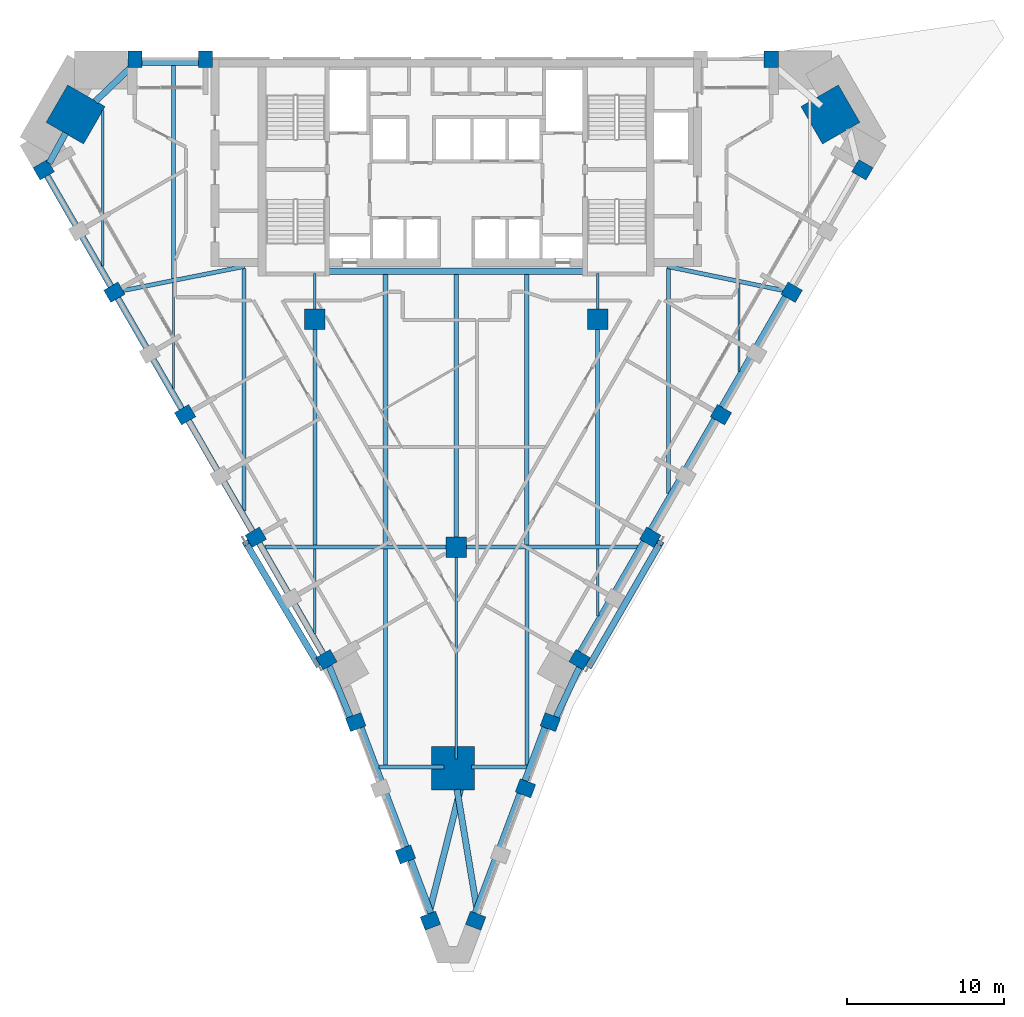
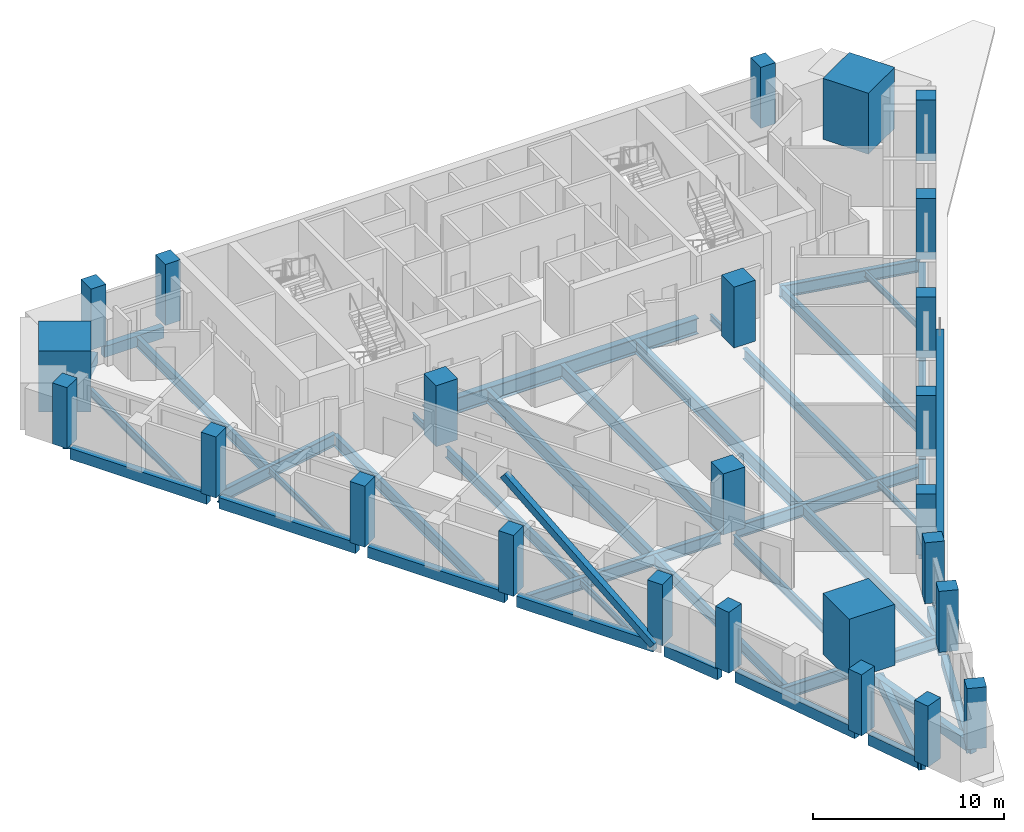
# One storey, part 1 of 10: 43 beams, 25 columns, 2 members.
"""IFC4 building model written with IfcOpenShell, lengths in metres."""

from ifc_helpers import new_model, si_unit, direction, frame, origin, origin_2d, place, context, subcontext, project, spatial, rectangle, hollow_rectangle, i_section, extrude, material, material_profile, profile_set, type_object, element, save


model = new_model("IFC4")

# Units and contexts
model_context = context("Model", 3, precision=1e-05, world=origin(), true_north=direction((0.0, 1.0)))
body_context = subcontext(model_context, "Body", "Model", "MODEL_VIEW")
ifc_project = project(units=[si_unit("LENGTHUNIT", "METRE"), si_unit("AREAUNIT", "SQUARE_METRE"), si_unit("VOLUMEUNIT", "CUBIC_METRE"), si_unit("PLANEANGLEUNIT", "RADIAN"), si_unit("MASSUNIT", "GRAM", prefix="KILO")], contexts=[model_context])

# Site, building, storey
site_placement = place(None, origin())
site = spatial("IfcSite", under=ifc_project, at=site_placement, CompositionType="ELEMENT")
building_placement = place(site_placement, origin())
building = spatial("IfcBuilding", under=site, at=building_placement, Name="Calabash Gate Tower", CompositionType="ELEMENT")
storey_placement = place(building_placement, frame((0.0, 0.0, 144.60009765625)))
storey = spatial("IfcBuildingStorey", under=building, at=storey_placement, Name="L33", CompositionType="ELEMENT", Elevation=144.60009765625)

# Columns
ifc_material_1 = material(Name="Concrete C70/85", Category="concrete")
ifc_material_profile_1 = material_profile(ifc_material_1, rectangle(XDim=1.300048828125, YDim=1.300048828125, at=origin_2d()))
ifc_profile_set_1 = profile_set([ifc_material_profile_1], Name="Concrete C70/85")
column_type_1 = type_object("IfcColumnType", Name="Interior column RC 1300x1300 Concrete C70/85", PredefinedType="COLUMN", material=ifc_profile_set_1)
for number, where, z_axis, x_axis, name in (
    (1, (-9.0, 2.5, 0.0), (0.0, 0.0, 1.0), (1.0, 0.0, 0.0), "Interior column L33 I0"),
    (2, (9.0, 2.5, 0.0), (0.0, 0.0, 1.0), (1.0, 0.0, 0.0), "Interior column L33 I1"),
    (3, (0.0, -12.0, 0.0), (0.0, 0.0, 1.0), (1.0, 0.0, 0.0), "Interior column L33 I2"),
):
    element("IfcColumn", number, at=place(storey_placement, frame(where, z_axis=z_axis, x_axis=x_axis)), inside=storey, type_object=column_type_1, Name=name, PredefinedType="COLUMN", context=body_context, shape_type="SweptSolid", body=[
        extrude(rectangle(XDim=1.300048828125, YDim=1.300048828125, at=origin_2d()), origin(), (0.0, 0.0, 1.0), 3.89990234375),
    ])
ifc_material_2 = material(Name="Concrete C70/85", Category="concrete")
ifc_material_profile_2 = material_profile(ifc_material_2, rectangle(XDim=2.75, YDim=2.75, at=origin_2d()))
ifc_profile_set_2 = profile_set([ifc_material_profile_2], Name="Concrete C70/85")
column_type_2 = type_object("IfcColumnType", Name="Mega column RC 2750x2750 Concrete C70/85", PredefinedType="COLUMN", material=ifc_profile_set_2)
for number, where, z_axis, x_axis, name in (
    (4, (-24.221923828125, 15.531005859375, 0.0), (0.0, 0.0, 1.0), (0.866025386331, -0.50000003023, 0.0), "Mega column L33 NW"),
    (5, (23.81201171875, 15.531005859375, 0.0), (0.0, 0.0, 1.0), (-0.866025386331, -0.50000003023, 0.0), "Mega column L33 NE"),
    (6, (-0.202880859375, -26.068115234375, 0.0), (0.0, 0.0, 1.0), (0.0, 1.0, 0.0), "Mega column L33 S"),
):
    element("IfcColumn", number, at=place(storey_placement, frame(where, z_axis=z_axis, x_axis=x_axis)), inside=storey, type_object=column_type_2, Name=name, PredefinedType="COLUMN", context=body_context, shape_type="SweptSolid", body=[
        extrude(rectangle(XDim=2.75, YDim=2.75, at=origin_2d()), origin(), (0.0, 0.0, 1.0), 3.89990234375),
    ])
ifc_material_3 = material(Name="Concrete C60/75", Category="concrete")
ifc_material_profile_3 = material_profile(ifc_material_3, rectangle(XDim=0.89990234375, YDim=1.050048828125, at=origin_2d()))
ifc_profile_set_3 = profile_set([ifc_material_profile_3], Name="Concrete C60/75")
column_type_3 = type_object("IfcColumnType", Name="Perimeter column RC 900x1050 Concrete C60/75", PredefinedType="COLUMN", material=ifc_profile_set_3)
for number, where, z_axis, x_axis, name in (
    (7, (-26.2529296875, 12.010009765625, 0.0), (0.0, 0.0, 1.0), (0.499999984885, -0.866025412511, 0.0), "Perimeter column L33 P20"),
    (8, (-21.7529296875, 4.216064453125, 0.0), (0.0, 0.0, 1.0), (0.499999984885, -0.866025412511, 0.0), "Perimeter column L33 P00"),
    (9, (-17.2529296875, -3.577880859375, 0.0), (0.0, 0.0, 1.0), (0.499999984885, -0.866025412511, 0.0), "Perimeter column L33 P01"),
    (10, (-12.7529296875, -11.373046875, 0.0), (0.0, 0.0, 1.0), (0.499999984885, -0.866025412511, 0.0), "Perimeter column L33 P02"),
    (11, (-8.2529296875, -19.1669921875, 0.0), (0.0, 0.0, 1.0), (0.499999984885, -0.866025412511, 0.0), "Perimeter column L33 P03"),
    (12, (-6.39599609375, -23.136962890625, 0.0), (0.0, 0.0, 1.0), (0.351822468316, -0.936066744836, 0.0), "Perimeter column L33 P25"),
    (13, (-3.22998046875, -31.56201171875, 0.0), (0.0, 0.0, 1.0), (0.351822468316, -0.936066744836, 0.0), "Perimeter column L33 P26"),
    (14, (-1.64697265625, -35.77392578125, 0.0), (0.0, 0.0, 1.0), (0.351822468316, -0.936066744836, 0.0), "Perimeter column L33 P27"),
    (15, (1.237060546875, -35.77392578125, 0.0), (0.0, 0.0, 1.0), (0.351822517328, 0.936066726415, 0.0), "Perimeter column L33 P28"),
    (16, (4.404052734375, -27.34912109375, 0.0), (0.0, 0.0, 1.0), (0.351822517328, 0.936066726415, 0.0), "Perimeter column L33 P08"),
    (17, (5.987060546875, -23.136962890625, 0.0), (0.0, 0.0, 1.0), (0.351822517328, 0.936066726415, 0.0), "Perimeter column L33 P29"),
    (18, (7.845947265625, -19.1669921875, 0.0), (0.0, 0.0, 1.0), (0.499999984885, 0.866025412511, 0.0), "Perimeter column L33 P09"),
    (19, (12.345947265625, -11.373046875, 0.0), (0.0, 0.0, 1.0), (0.499999984885, 0.866025412511, 0.0), "Perimeter column L33 P10"),
    (20, (16.845947265625, -3.577880859375, 0.0), (0.0, 0.0, 1.0), (0.499999984885, 0.866025412511, 0.0), "Perimeter column L33 P11"),
    (21, (21.345947265625, 4.216064453125, 0.0), (0.0, 0.0, 1.0), (0.499999984885, 0.866025412511, 0.0), "Perimeter column L33 P12"),
    (22, (25.845947265625, 12.010009765625, 0.0), (0.0, 0.0, 1.0), (0.499999984885, 0.866025412511, 0.0), "Perimeter column L33 P13"),
    (23, (20.047119140625, 19.052978515625, 0.0), (0.0, 0.0, 1.0), (-1.0, 0.0, 0.0), "Perimeter column L33 P24"),
    (24, (-15.952880859375, 19.052978515625, 0.0), (0.0, 0.0, 1.0), (-1.0, 0.0, 0.0), "Perimeter column L33 P30"),
    (25, (-20.452880859375, 19.052978515625, 0.0), (0.0, 0.0, 1.0), (-1.0, 0.0, 0.0), "Perimeter column L33 P17"),
):
    element("IfcColumn", number, at=place(storey_placement, frame(where, z_axis=z_axis, x_axis=x_axis)), inside=storey, type_object=column_type_3, Name=name, PredefinedType="COLUMN", context=body_context, shape_type="SweptSolid", body=[
        extrude(rectangle(XDim=0.89990234375, YDim=1.050048828125, at=origin_2d()), origin(), (0.0, 0.0, 1.0), 3.89990234375),
    ])

# Beams
ifc_material_4 = material(Name="Concrete C50/60", Category="concrete")
ifc_material_profile_4 = material_profile(ifc_material_4, rectangle(XDim=0.39990234375, YDim=0.699951171875, at=origin_2d()))
ifc_profile_set_4 = profile_set([ifc_material_profile_4], Name="Concrete C50/60")
beam_type_1 = type_object("IfcBeamType", Name="Edge beam RC 400x700 Concrete C50/60", PredefinedType="BEAM", material=ifc_profile_set_4)
beam_1_placement = place(storey_placement, frame((-17.0390625, -3.951904296875, -0.52001953125), z_axis=(0.500047870268, -0.865997764108, 0.0), x_axis=(0.865997764108, 0.500047870268, 0.0)))
element("IfcBeam", 26, at=beam_1_placement, inside=storey, type_object=beam_type_1, Name="Edge beam L33 1", PredefinedType="BEAM", context=body_context, shape_type="SweptSolid", body=[
    extrude(rectangle(XDim=0.39990234375, YDim=0.699951171875, at=origin_2d()), origin(), (0.0, 0.0, 1.0), 8.269287109375),
])
beam_2_placement = place(storey_placement, frame((-12.5390625, -11.74609375, -0.52001953125), z_axis=(0.499958388054, -0.86604942712, 0.0), x_axis=(0.86604942712, 0.499958388054, 0.0)))
element("IfcBeam", 27, at=beam_2_placement, inside=storey, type_object=beam_type_1, Name="Edge beam L33 2", PredefinedType="BEAM", context=body_context, shape_type="SweptSolid", body=[
    extrude(rectangle(XDim=0.39990234375, YDim=0.699951171875, at=origin_2d()), origin(), (0.0, 0.0, 1.0), 8.270751953125),
])
beam_3_placement = place(storey_placement, frame((-8.0869140625, -19.570068359375, -0.52001953125), z_axis=(0.381950141161, -0.924182930846, 0.0), x_axis=(0.924182930846, 0.381950141161, 0.0)))
element("IfcBeam", 28, at=beam_3_placement, inside=storey, type_object=beam_type_1, Name="Edge beam L33 3", PredefinedType="BEAM", context=body_context, shape_type="SweptSolid", body=[
    extrude(rectangle(XDim=0.39990234375, YDim=0.699951171875, at=origin_2d()), origin(), (0.0, 0.0, 1.0), 3.5078125),
])
beam_4_placement = place(storey_placement, frame((-6.051025390625, -23.488037109375, -0.52001953125), z_axis=(0.351863225674, -0.936051425093, 0.0), x_axis=(0.936051425093, 0.351863225674, 0.0)))
element("IfcBeam", 29, at=beam_4_placement, inside=storey, type_object=beam_type_1, Name="Edge beam L33 4", PredefinedType="BEAM", context=body_context, shape_type="SweptSolid", body=[
    extrude(rectangle(XDim=0.39990234375, YDim=0.699951171875, at=origin_2d()), origin(), (0.0, 0.0, 1.0), 8.10009765625),
])
beam_5_placement = place(storey_placement, frame((-2.884033203125, -31.9130859375, -0.52001953125), z_axis=(0.351799855959, -0.936075243422, 0.0), x_axis=(0.936075243422, 0.351799855959, 0.0)))
element("IfcBeam", 30, at=beam_5_placement, inside=storey, type_object=beam_type_1, Name="Edge beam L33 5", PredefinedType="BEAM", context=body_context, shape_type="SweptSolid", body=[
    extrude(rectangle(XDim=0.39990234375, YDim=0.699951171875, at=origin_2d()), origin(), (0.0, 0.0, 1.0), 3.598876953125),
])
beam_6_placement = place(storey_placement, frame((-1.743896484375, -35.34912109375, -0.52001953125), z_axis=(0.24595570579, 0.969281069035, 0.0), x_axis=(-0.969281069035, 0.24595570579, 0.0)))
element("IfcBeam", 31, at=beam_6_placement, inside=storey, type_object=beam_type_1, Name="Edge beam L33 6", PredefinedType="BEAM", context=body_context, shape_type="SweptSolid", body=[
    extrude(rectangle(XDim=0.39990234375, YDim=0.699951171875, at=origin_2d()), origin(), (0.0, 0.0, 1.0), 8.17626953125),
])
beam_7_placement = place(storey_placement, frame((0.048095703125, -27.427978515625, -0.52001953125), z_axis=(0.164438353373, -0.986387362013, 0.0), x_axis=(0.986387362013, 0.164438353373, 0.0)))
element("IfcBeam", 32, at=beam_7_placement, inside=storey, type_object=beam_type_1, Name="Edge beam L33 7", PredefinedType="BEAM", context=body_context, shape_type="SweptSolid", body=[
    extrude(rectangle(XDim=0.39990234375, YDim=0.699951171875, at=origin_2d()), origin(), (0.0, 0.0, 1.0), 8.045654296875),
])
beam_8_placement = place(storey_placement, frame((1.2080078125, -35.281982421875, -0.52001953125), z_axis=(0.351863225674, 0.936051425093, 0.0), x_axis=(-0.936051425093, 0.351863225674, 0.0)))
element("IfcBeam", 33, at=beam_8_placement, inside=storey, type_object=beam_type_1, Name="Edge beam L33 8", PredefinedType="BEAM", context=body_context, shape_type="SweptSolid", body=[
    extrude(rectangle(XDim=0.39990234375, YDim=0.699951171875, at=origin_2d()), origin(), (0.0, 0.0, 1.0), 8.10009765625),
])
beam_9_placement = place(storey_placement, frame((4.376953125, -26.85791015625, -0.52001953125), z_axis=(0.351234944025, 0.936287356582, 0.0), x_axis=(-0.936287356582, 0.351234944025, 0.0)))
element("IfcBeam", 34, at=beam_9_placement, inside=storey, type_object=beam_type_1, Name="Edge beam L33 9", PredefinedType="BEAM", context=body_context, shape_type="SweptSolid", body=[
    extrude(rectangle(XDim=0.39990234375, YDim=0.699951171875, at=origin_2d()), origin(), (0.0, 0.0, 1.0), 3.59912109375),
])
beam_10_placement = place(storey_placement, frame((6.361083984375, -22.81005859375, -0.52001953125), z_axis=(0.423673949239, 0.905814762927, 0.0), x_axis=(-0.905814762927, 0.423673949239, 0.0)))
element("IfcBeam", 35, at=beam_10_placement, inside=storey, type_object=beam_type_1, Name="Edge beam L33 10", PredefinedType="BEAM", context=body_context, shape_type="SweptSolid", body=[
    extrude(rectangle(XDim=0.39990234375, YDim=0.699951171875, at=origin_2d()), origin(), (0.0, 0.0, 1.0), 3.47412109375),
])
beam_11_placement = place(storey_placement, frame((7.89697265625, -18.677001953125, -0.52001953125), z_axis=(0.499999880539, 0.866025472755, 0.0), x_axis=(-0.866025472755, 0.499999880539, 0.0)))
element("IfcBeam", 36, at=beam_11_placement, inside=storey, type_object=beam_type_1, Name="Edge beam L33 11", PredefinedType="BEAM", context=body_context, shape_type="SweptSolid", body=[
    extrude(rectangle(XDim=0.39990234375, YDim=0.699951171875, at=origin_2d()), origin(), (0.0, 0.0, 1.0), 8.10009765625),
])
for number, where, z_axis, x_axis, name in (
    (37, (12.39697265625, -10.883056640625, -0.52001953125), (0.499986829629, 0.866033007568, 0.0), (-0.866033007568, 0.499986829629, 0.0), "Edge beam L33 12"),
    (38, (16.89697265625, -3.089111328125, -0.52001953125), (0.499986829629, 0.866033007568, 0.0), (-0.866033007568, 0.499986829629, 0.0), "Edge beam L33 13"),
):
    element("IfcBeam", number, at=place(storey_placement, frame(where, z_axis=z_axis, x_axis=x_axis)), inside=storey, type_object=beam_type_1, Name=name, PredefinedType="BEAM", context=body_context, shape_type="SweptSolid", body=[
        extrude(rectangle(XDim=0.39990234375, YDim=0.699951171875, at=origin_2d()), origin(), (0.0, 0.0, 1.0), 8.100341796875),
    ])
beam_12_placement = place(storey_placement, frame((-16.403076171875, 18.85302734375, -0.52001953125), z_axis=(-1.0, 0.0, 0.0), x_axis=(0.0, -1.0, 0.0)))
element("IfcBeam", 39, at=beam_12_placement, inside=storey, type_object=beam_type_1, Name="Edge beam L33 17", PredefinedType="BEAM", context=body_context, shape_type="SweptSolid", body=[
    extrude(rectangle(XDim=0.39990234375, YDim=0.699951171875, at=origin_2d()), origin(), (0.0, 0.0, 1.0), 3.599853515625),
])
beam_13_placement = place(storey_placement, frame((-20.696044921875, 18.54296875, -0.52001953125), z_axis=(-0.720809229567, -0.693133504147, 0.0), x_axis=(0.693133504147, -0.720809229567, 0.0)))
element("IfcBeam", 40, at=beam_13_placement, inside=storey, type_object=beam_type_1, Name="Edge beam L33 18", PredefinedType="BEAM", context=body_context, shape_type="SweptSolid", body=[
    extrude(rectangle(XDim=0.39990234375, YDim=0.699951171875, at=origin_2d()), origin(), (0.0, 0.0, 1.0), 3.149169921875),
])
beam_14_placement = place(storey_placement, frame((-24.85400390625, 14.346923828125, -0.52001953125), z_axis=(-0.479500925929, -0.877541373402, 0.0), x_axis=(0.877541373402, -0.479500925929, 0.0)))
element("IfcBeam", 41, at=beam_14_placement, inside=storey, type_object=beam_type_1, Name="Edge beam L33 19", PredefinedType="BEAM", context=body_context, shape_type="SweptSolid", body=[
    extrude(rectangle(XDim=0.39990234375, YDim=0.699951171875, at=origin_2d()), origin(), (0.0, 0.0, 1.0), 2.187744140625),
])
beam_15_placement = place(storey_placement, frame((-26.0390625, 11.635986328125, -0.52001953125), z_axis=(0.50000951748, -0.866019908795, 0.0), x_axis=(0.866019908795, 0.50000951748, 0.0)))
element("IfcBeam", 42, at=beam_15_placement, inside=storey, type_object=beam_type_1, Name="Edge beam L33 20", PredefinedType="BEAM", context=body_context, shape_type="SweptSolid", body=[
    extrude(rectangle(XDim=0.39990234375, YDim=0.699951171875, at=origin_2d()), origin(), (0.0, 0.0, 1.0), 8.269775390625),
])
beam_16_placement = place(storey_placement, frame((-21.5390625, 3.842041015625, -0.52001953125), z_axis=(0.499996734306, -0.866027289225, 0.0), x_axis=(0.866027289225, 0.499996734306, 0.0)))
element("IfcBeam", 43, at=beam_16_placement, inside=storey, type_object=beam_type_1, Name="Edge beam L33 21", PredefinedType="BEAM", context=body_context, shape_type="SweptSolid", body=[
    extrude(rectangle(XDim=0.39990234375, YDim=0.699951171875, at=origin_2d()), origin(), (0.0, 0.0, 1.0), 8.27001953125),
])
ifc_material_5 = material(Name="Steel ASTM A992 Gr50", Category="steel")
ifc_material_profile_5 = material_profile(ifc_material_5, i_section(OverallWidth=0.1396484375, OverallDepth=0.398681640625, WebThickness=0.00634765625, FlangeThickness=0.0087890625, FilletRadius=0.01025390625, at=origin_2d()))
ifc_profile_set_5 = profile_set([ifc_material_profile_5], Name="Steel ASTM A992 Gr50")
beam_type_2 = type_object("IfcBeamType", Name="Floor beam W16x26 ASTM A992 Gr50", PredefinedType="BEAM", material=ifc_profile_set_5)
beam_17_placement = place(storey_placement, frame((-18.0, -1.89990234375, -0.369140625), z_axis=(0.0, 1.0, 0.0), x_axis=(-1.0, 0.0, 0.0)))
element("IfcBeam", 44, at=beam_17_placement, inside=storey, type_object=beam_type_2, Name="Floor beam L33 2", PredefinedType="BEAM", context=body_context, shape_type="SweptSolid", body=[
    extrude(i_section(OverallWidth=0.1396484375, OverallDepth=0.398681640625, WebThickness=0.00634765625, FlangeThickness=0.0087890625, FilletRadius=0.01025390625, at=origin_2d()), origin(), (0.0, 0.0, 1.0), 6.73681640625),
])
beam_18_placement = place(storey_placement, frame((-9.0, -17.488037109375, -0.369140625), z_axis=(0.0, 1.0, 0.0), x_axis=(-1.0, 0.0, 0.0)))
element("IfcBeam", 45, at=beam_18_placement, inside=storey, type_object=beam_type_2, Name="Floor beam L33 5", PredefinedType="BEAM", context=body_context, shape_type="SweptSolid", body=[
    extrude(i_section(OverallWidth=0.1396484375, OverallDepth=0.398681640625, WebThickness=0.00634765625, FlangeThickness=0.0087890625, FilletRadius=0.01025390625, at=origin_2d()), origin(), (0.0, 0.0, 1.0), 5.35498046875),
])
beam_19_placement = place(storey_placement, frame((-9.0, 3.14990234375, -0.369140625), z_axis=(0.0, 1.0, 0.0), x_axis=(-1.0, 0.0, 0.0)))
element("IfcBeam", 46, at=beam_19_placement, inside=storey, type_object=beam_type_2, Name="Floor beam L33 7", PredefinedType="BEAM", context=body_context, shape_type="SweptSolid", body=[
    extrude(i_section(OverallWidth=0.1396484375, OverallDepth=0.398681640625, WebThickness=0.00634765625, FlangeThickness=0.0087890625, FilletRadius=0.01025390625, at=origin_2d()), origin(), (0.0, 0.0, 1.0), 2.253173828125),
])
beam_20_placement = place(storey_placement, frame((9.0, -16.37890625, -0.369140625), z_axis=(0.0, 1.0, 0.0), x_axis=(-1.0, 0.0, 0.0)))
element("IfcBeam", 47, at=beam_20_placement, inside=storey, type_object=beam_type_2, Name="Floor beam L33 14", PredefinedType="BEAM", context=body_context, shape_type="SweptSolid", body=[
    extrude(i_section(OverallWidth=0.1396484375, OverallDepth=0.398681640625, WebThickness=0.00634765625, FlangeThickness=0.0087890625, FilletRadius=0.01025390625, at=origin_2d()), origin(), (0.0, 0.0, 1.0), 4.245849609375),
])
beam_21_placement = place(storey_placement, frame((9.0, 3.14990234375, -0.369140625), z_axis=(0.0, 1.0, 0.0), x_axis=(-1.0, 0.0, 0.0)))
element("IfcBeam", 48, at=beam_21_placement, inside=storey, type_object=beam_type_2, Name="Floor beam L33 16", PredefinedType="BEAM", context=body_context, shape_type="SweptSolid", body=[
    extrude(i_section(OverallWidth=0.1396484375, OverallDepth=0.398681640625, WebThickness=0.00634765625, FlangeThickness=0.0087890625, FilletRadius=0.01025390625, at=origin_2d()), origin(), (0.0, 0.0, 1.0), 2.253173828125),
])
beam_22_placement = place(storey_placement, frame((18.0, -0.81103515625, -0.369140625), z_axis=(0.0, 1.0, 0.0), x_axis=(-1.0, 0.0, 0.0)))
element("IfcBeam", 49, at=beam_22_placement, inside=storey, type_object=beam_type_2, Name="Floor beam L33 18", PredefinedType="BEAM", context=body_context, shape_type="SweptSolid", body=[
    extrude(i_section(OverallWidth=0.1396484375, OverallDepth=0.398681640625, WebThickness=0.00634765625, FlangeThickness=0.0087890625, FilletRadius=0.01025390625, at=origin_2d()), origin(), (0.0, 0.0, 1.0), 5.59814453125),
])
ifc_material_6 = material(Name="Steel ASTM A992 Gr50", Category="steel")
ifc_material_profile_6 = material_profile(ifc_material_6, i_section(OverallWidth=0.166015625, OverallDepth=0.5283203125, WebThickness=0.009765625, FlangeThickness=0.013671875, FilletRadius=0.0126953125, at=origin_2d()))
ifc_profile_set_6 = profile_set([ifc_material_profile_6], Name="Steel ASTM A992 Gr50")
beam_type_3 = type_object("IfcBeamType", Name="Floor beam W21x50 ASTM A992 Gr50", PredefinedType="BEAM", material=ifc_profile_set_6)
beam_23_placement = place(storey_placement, frame((-22.5, 5.8740234375, -0.43408203125), z_axis=(0.0, 1.0, 0.0), x_axis=(-1.0, 0.0, 0.0)))
element("IfcBeam", 50, at=beam_23_placement, inside=storey, type_object=beam_type_3, Name="Floor beam L33 1", PredefinedType="BEAM", context=body_context, shape_type="SweptSolid", body=[
    extrude(i_section(OverallWidth=0.166015625, OverallDepth=0.5283203125, WebThickness=0.009765625, FlangeThickness=0.013671875, FilletRadius=0.0126953125, at=origin_2d()), origin(), (0.0, 0.0, 1.0), 9.903076171875),
])
ifc_material_7 = material(Name="Steel ASTM A992 Gr50", Category="steel")
ifc_material_profile_7 = material_profile(ifc_material_7, i_section(OverallWidth=0.1787109375, OverallDepth=0.60205078125, WebThickness=0.010986328125, FlangeThickness=0.014892578125, FilletRadius=0.0126953125, at=origin_2d()))
ifc_profile_set_7 = profile_set([ifc_material_profile_7], Name="Steel ASTM A992 Gr50")
beam_type_4 = type_object("IfcBeamType", Name="Floor beam W24x62 ASTM A992 Gr50", PredefinedType="BEAM", material=ifc_profile_set_7)
beam_24_placement = place(storey_placement, frame((0.0, -25.48291015625, -0.47119140625), z_axis=(0.0, 1.0, 0.0), x_axis=(-1.0, 0.0, 0.0)))
element("IfcBeam", 51, at=beam_24_placement, inside=storey, type_object=beam_type_4, Name="Floor beam L33 10", PredefinedType="BEAM", context=body_context, shape_type="SweptSolid", body=[
    extrude(i_section(OverallWidth=0.1787109375, OverallDepth=0.60205078125, WebThickness=0.010986328125, FlangeThickness=0.014892578125, FilletRadius=0.0126953125, at=origin_2d()), origin(), (0.0, 0.0, 1.0), 12.8330078125),
])
ifc_material_8 = material(Name="Steel ASTM A992 Gr50", Category="steel")
ifc_material_profile_8 = material_profile(ifc_material_8, i_section(OverallWidth=0.25390625, OverallDepth=0.67822265625, WebThickness=0.01171875, FlangeThickness=0.016357421875, FilletRadius=0.01513671875, at=origin_2d()))
ifc_profile_set_8 = profile_set([ifc_material_profile_8], Name="Steel ASTM A992 Gr50")
beam_type_5 = type_object("IfcBeamType", Name="Floor beam W27x84 ASTM A992 Gr50", PredefinedType="BEAM", material=ifc_profile_set_8)
beam_25_placement = place(storey_placement, frame((-18.0, 5.0869140625, -0.509033203125), z_axis=(0.0, 1.0, 0.0), x_axis=(-1.0, 0.0, 0.0)))
element("IfcBeam", 52, at=beam_25_placement, inside=storey, type_object=beam_type_5, Name="Floor beam L33 3", PredefinedType="BEAM", context=body_context, shape_type="SweptSolid", body=[
    extrude(i_section(OverallWidth=0.25390625, OverallDepth=0.67822265625, WebThickness=0.01171875, FlangeThickness=0.016357421875, FilletRadius=0.01513671875, at=origin_2d()), origin(), (0.0, 0.0, 1.0), 13.566162109375),
])
beam_26_placement = place(storey_placement, frame((-9.0, -11.866943359375, -0.509033203125), z_axis=(0.0, 1.0, 0.0), x_axis=(-1.0, 0.0, 0.0)))
element("IfcBeam", 53, at=beam_26_placement, inside=storey, type_object=beam_type_5, Name="Floor beam L33 6", PredefinedType="BEAM", context=body_context, shape_type="SweptSolid", body=[
    extrude(i_section(OverallWidth=0.25390625, OverallDepth=0.67822265625, WebThickness=0.01171875, FlangeThickness=0.016357421875, FilletRadius=0.01513671875, at=origin_2d()), origin(), (0.0, 0.0, 1.0), 13.717041015625),
])
beam_27_placement = place(storey_placement, frame((-4.5, -25.866943359375, -0.509033203125), z_axis=(0.0, 1.0, 0.0), x_axis=(-1.0, 0.0, 0.0)))
element("IfcBeam", 54, at=beam_27_placement, inside=storey, type_object=beam_type_5, Name="Floor beam L33 8", PredefinedType="BEAM", context=body_context, shape_type="SweptSolid", body=[
    extrude(i_section(OverallWidth=0.25390625, OverallDepth=0.67822265625, WebThickness=0.01171875, FlangeThickness=0.016357421875, FilletRadius=0.01513671875, at=origin_2d()), origin(), (0.0, 0.0, 1.0), 13.73388671875),
])
beam_28_placement = place(storey_placement, frame((4.5, -25.89892578125, -0.509033203125), z_axis=(0.0, 1.0, 0.0), x_axis=(-1.0, 0.0, 0.0)))
element("IfcBeam", 55, at=beam_28_placement, inside=storey, type_object=beam_type_5, Name="Floor beam L33 12", PredefinedType="BEAM", context=body_context, shape_type="SweptSolid", body=[
    extrude(i_section(OverallWidth=0.25390625, OverallDepth=0.67822265625, WebThickness=0.01171875, FlangeThickness=0.016357421875, FilletRadius=0.01513671875, at=origin_2d()), origin(), (0.0, 0.0, 1.0), 13.765869140625),
])
beam_29_placement = place(storey_placement, frame((9.0, -11.866943359375, -0.509033203125), z_axis=(0.0, 1.0, 0.0), x_axis=(-1.0, 0.0, 0.0)))
element("IfcBeam", 56, at=beam_29_placement, inside=storey, type_object=beam_type_5, Name="Floor beam L33 15", PredefinedType="BEAM", context=body_context, shape_type="SweptSolid", body=[
    extrude(i_section(OverallWidth=0.25390625, OverallDepth=0.67822265625, WebThickness=0.01171875, FlangeThickness=0.016357421875, FilletRadius=0.01513671875, at=origin_2d()), origin(), (0.0, 0.0, 1.0), 13.717041015625),
])
beam_30_placement = place(storey_placement, frame((13.5, -8.60302734375, -0.509033203125), z_axis=(0.0, 1.0, 0.0), x_axis=(-1.0, 0.0, 0.0)))
element("IfcBeam", 57, at=beam_30_placement, inside=storey, type_object=beam_type_5, Name="Floor beam L33 17", PredefinedType="BEAM", context=body_context, shape_type="SweptSolid", body=[
    extrude(i_section(OverallWidth=0.25390625, OverallDepth=0.67822265625, WebThickness=0.01171875, FlangeThickness=0.016357421875, FilletRadius=0.01513671875, at=origin_2d()), origin(), (0.0, 0.0, 1.0), 14.341064453125),
])
ifc_material_9 = material(Name="Steel ASTM A992 Gr50", Category="steel")
ifc_material_profile_9 = material_profile(ifc_material_9, i_section(OverallWidth=0.2666015625, OverallDepth=0.7568359375, WebThickness=0.013916015625, FlangeThickness=0.019287109375, FilletRadius=0.0166015625, at=origin_2d()))
ifc_profile_set_9 = profile_set([ifc_material_profile_9], Name="Steel ASTM A992 Gr50")
beam_type_6 = type_object("IfcBeamType", Name="Floor beam W30x108 ASTM A992 Gr50", PredefinedType="BEAM", material=ifc_profile_set_9)
beam_31_placement = place(storey_placement, frame((-13.5, -9.694091796875, -0.548095703125), z_axis=(0.0, 1.0, 0.0), x_axis=(-1.0, 0.0, 0.0)))
element("IfcBeam", 58, at=beam_31_placement, inside=storey, type_object=beam_type_6, Name="Floor beam L33 4", PredefinedType="BEAM", context=body_context, shape_type="SweptSolid", body=[
    extrude(i_section(OverallWidth=0.2666015625, OverallDepth=0.7568359375, WebThickness=0.013916015625, FlangeThickness=0.019287109375, FilletRadius=0.0166015625, at=origin_2d()), origin(), (0.0, 0.0, 1.0), 15.425048828125),
])
ifc_material_10 = material(Name="Steel ASTM A992 Gr50", Category="steel")
ifc_material_profile_10 = material_profile(ifc_material_10, i_section(OverallWidth=0.2919921875, OverallDepth=0.845703125, WebThickness=0.015380859375, FlangeThickness=0.0244140625, FilletRadius=0.017822265625, at=origin_2d()))
ifc_profile_set_10 = profile_set([ifc_material_profile_10], Name="Steel ASTM A992 Gr50")
beam_type_7 = type_object("IfcBeamType", Name="Floor beam W33x141 ASTM A992 Gr50", PredefinedType="BEAM", material=ifc_profile_set_10)
beam_32_placement = place(storey_placement, frame((-4.5, -11.866943359375, -0.593017578125), z_axis=(0.0, 1.0, 0.0), x_axis=(-1.0, 0.0, 0.0)))
element("IfcBeam", 59, at=beam_32_placement, inside=storey, type_object=beam_type_7, Name="Floor beam L33 9", PredefinedType="BEAM", context=body_context, shape_type="SweptSolid", body=[
    extrude(i_section(OverallWidth=0.2919921875, OverallDepth=0.845703125, WebThickness=0.015380859375, FlangeThickness=0.0244140625, FilletRadius=0.017822265625, at=origin_2d()), origin(), (0.0, 0.0, 1.0), 17.218994140625),
])
beam_33_placement = place(storey_placement, frame((0.0, -11.35009765625, -0.593017578125), z_axis=(0.0, 1.0, 0.0), x_axis=(-1.0, 0.0, 0.0)))
element("IfcBeam", 60, at=beam_33_placement, inside=storey, type_object=beam_type_7, Name="Floor beam L33 11", PredefinedType="BEAM", context=body_context, shape_type="SweptSolid", body=[
    extrude(i_section(OverallWidth=0.2919921875, OverallDepth=0.845703125, WebThickness=0.015380859375, FlangeThickness=0.0244140625, FilletRadius=0.017822265625, at=origin_2d()), origin(), (0.0, 0.0, 1.0), 16.7021484375),
])
beam_34_placement = place(storey_placement, frame((4.5, -11.866943359375, -0.593017578125), z_axis=(0.0, 1.0, 0.0), x_axis=(-1.0, 0.0, 0.0)))
element("IfcBeam", 61, at=beam_34_placement, inside=storey, type_object=beam_type_7, Name="Floor beam L33 13", PredefinedType="BEAM", context=body_context, shape_type="SweptSolid", body=[
    extrude(i_section(OverallWidth=0.2919921875, OverallDepth=0.845703125, WebThickness=0.015380859375, FlangeThickness=0.0244140625, FilletRadius=0.017822265625, at=origin_2d()), origin(), (0.0, 0.0, 1.0), 17.218994140625),
])
ifc_material_11 = material(Name="Steel ASTM A992 Gr50", Category="steel")
ifc_material_profile_11 = material_profile(ifc_material_11, i_section(OverallWidth=0.2666015625, OverallDepth=0.77978515625, WebThickness=0.0166015625, FlangeThickness=0.030029296875, FilletRadius=0.0166015625, at=origin_2d()))
ifc_profile_set_11 = profile_set([ifc_material_profile_11], Name="Steel ASTM A992 Gr50")
beam_type_8 = type_object("IfcBeamType", Name="Girder W30x148 ASTM A992 Gr50", PredefinedType="BEAM", material=ifc_profile_set_11)
beam_35_placement = place(storey_placement, frame((-21.409912109375, 4.283935546875, -0.56005859375), z_axis=(0.980846045759, 0.19478458491, 0.0), x_axis=(-0.19478458491, 0.980846045759, 0.0)))
element("IfcBeam", 62, at=beam_35_placement, inside=storey, type_object=beam_type_8, Name="Girder L33 2", PredefinedType="BEAM", context=body_context, shape_type="SweptSolid", body=[
    extrude(i_section(OverallWidth=0.2666015625, OverallDepth=0.77978515625, WebThickness=0.0166015625, FlangeThickness=0.030029296875, FilletRadius=0.0166015625, at=origin_2d()), origin(), (0.0, 0.0, 1.0), 8.07568359375),
])
beam_36_placement = place(storey_placement, frame((21.001953125, 4.287109375, -0.56005859375), z_axis=(-0.979199062706, 0.202901935909, 0.0), x_axis=(-0.202901935909, -0.979199062706, 0.0)))
element("IfcBeam", 63, at=beam_36_placement, inside=storey, type_object=beam_type_8, Name="Girder L33 3", PredefinedType="BEAM", context=body_context, shape_type="SweptSolid", body=[
    extrude(i_section(OverallWidth=0.2666015625, OverallDepth=0.77978515625, WebThickness=0.0166015625, FlangeThickness=0.030029296875, FilletRadius=0.0166015625, at=origin_2d()), origin(), (0.0, 0.0, 1.0), 7.73681640625),
])
beam_37_placement = place(storey_placement, frame((-12.18310546875, -12.0, -0.56005859375), z_axis=(1.0, 0.0, 0.0), x_axis=(0.0, 1.0, 0.0)))
element("IfcBeam", 64, at=beam_37_placement, inside=storey, type_object=beam_type_8, Name="Girder L33 4", PredefinedType="BEAM", context=body_context, shape_type="SweptSolid", body=[
    extrude(i_section(OverallWidth=0.2666015625, OverallDepth=0.77978515625, WebThickness=0.0166015625, FlangeThickness=0.030029296875, FilletRadius=0.0166015625, at=origin_2d()), origin(), (0.0, 0.0, 1.0), 11.713134765625),
])
beam_38_placement = place(storey_placement, frame((0.469970703125, -12.0, -0.56005859375), z_axis=(1.0, 0.0, 0.0), x_axis=(0.0, 1.0, 0.0)))
element("IfcBeam", 65, at=beam_38_placement, inside=storey, type_object=beam_type_8, Name="Girder L33 5", PredefinedType="BEAM", context=body_context, shape_type="SweptSolid", body=[
    extrude(i_section(OverallWidth=0.2666015625, OverallDepth=0.77978515625, WebThickness=0.0166015625, FlangeThickness=0.030029296875, FilletRadius=0.0166015625, at=origin_2d()), origin(), (0.0, 0.0, 1.0), 11.0830078125),
])
beam_39_placement = place(storey_placement, frame((-4.903076171875, -26.0, -0.56005859375), z_axis=(1.0, 0.0, 0.0), x_axis=(0.0, 1.0, 0.0)))
element("IfcBeam", 66, at=beam_39_placement, inside=storey, type_object=beam_type_8, Name="Girder L33 6", PredefinedType="BEAM", context=body_context, shape_type="SweptSolid", body=[
    extrude(i_section(OverallWidth=0.2666015625, OverallDepth=0.77978515625, WebThickness=0.0166015625, FlangeThickness=0.030029296875, FilletRadius=0.0166015625, at=origin_2d()), origin(), (0.0, 0.0, 1.0), 4.114990234375),
])
beam_40_placement = place(storey_placement, frame((0.97802734375, -26.0, -0.56005859375), z_axis=(1.0, 0.0, 0.0), x_axis=(0.0, 1.0, 0.0)))
element("IfcBeam", 67, at=beam_40_placement, inside=storey, type_object=beam_type_8, Name="Girder L33 7", PredefinedType="BEAM", context=body_context, shape_type="SweptSolid", body=[
    extrude(i_section(OverallWidth=0.2666015625, OverallDepth=0.77978515625, WebThickness=0.0166015625, FlangeThickness=0.030029296875, FilletRadius=0.0166015625, at=origin_2d()), origin(), (0.0, 0.0, 1.0), 3.5390625),
])
ifc_material_12 = material(Name="Steel ASTM A992 Gr50", Category="steel")
ifc_material_profile_12 = material_profile(ifc_material_12, i_section(OverallWidth=0.4013671875, OverallDepth=1.000732421875, WebThickness=0.01904296875, FlangeThickness=0.0361328125, FilletRadius=0.030029296875, at=origin_2d()))
ifc_profile_set_12 = profile_set([ifc_material_profile_12], Name="Steel ASTM A992 Gr50")
beam_type_9 = type_object("IfcBeamType", Name="Girder W40x249 ASTM A992 Gr50", PredefinedType="BEAM", material=ifc_profile_set_12)
beam_41_placement = place(storey_placement, frame((-8.25, 5.552978515625, -0.670166015625), z_axis=(1.0, 0.0, 0.0), x_axis=(0.0, 1.0, 0.0)))
element("IfcBeam", 68, at=beam_41_placement, inside=storey, type_object=beam_type_9, Name="Girder L33 1", PredefinedType="BEAM", context=body_context, shape_type="SweptSolid", body=[
    extrude(i_section(OverallWidth=0.4013671875, OverallDepth=1.000732421875, WebThickness=0.01904296875, FlangeThickness=0.0361328125, FilletRadius=0.030029296875, at=origin_2d()), origin(), (0.0, 0.0, 1.0), 16.5),
])

# Members
ifc_material_13 = material(Name="Steel ASTM A500 Gr C", Category="steel")
ifc_material_profile_13 = material_profile(ifc_material_13, hollow_rectangle(XDim=0.406494140625, YDim=0.406494140625, WallThickness=0.015869140625, at=origin_2d()))
ifc_profile_set_13 = profile_set([ifc_material_profile_13], Name="Steel ASTM A500 Gr C")
member_type = type_object("IfcMemberType", Name="Mega-brace HSS16X16X.625 ASTM A500 Gr C", PredefinedType="BRACE", material=ifc_profile_set_13)
member_1_placement = place(storey_placement, frame((-8.782958984375, -19.471923828125, 0.0), z_axis=(-0.386437653516, 0.649453860405, 0.654885961943), x_axis=(-0.859375471961, -0.511345087189, 0.0)))
element("IfcMember", 69, at=member_1_placement, inside=storey, type_object=member_type, Name="Mega-brace SW Z3 20", PredefinedType="BRACE", context=body_context, shape_type="SweptSolid", body=[
    extrude(hollow_rectangle(XDim=0.406494140625, YDim=0.406494140625, WallThickness=0.015869140625, at=origin_2d()), origin(), (0.0, 0.0, 1.0), 11.91015625),
])
member_2_placement = place(storey_placement, frame((8.47607421875, -19.531005859375, 0.0), z_axis=(0.377849413198, 0.654451091381, 0.654922583162), x_axis=(-0.866024315419, 0.5000018851, 0.0)))
element("IfcMember", 70, at=member_2_placement, inside=storey, type_object=member_type, Name="Mega-brace SE Z3 24", PredefinedType="BRACE", context=body_context, shape_type="SweptSolid", body=[
    extrude(hollow_rectangle(XDim=0.406494140625, YDim=0.406494140625, WallThickness=0.015869140625, at=origin_2d()), origin(), (0.0, 0.0, 1.0), 11.909423828125),
])

save(model, "model.ifc")
